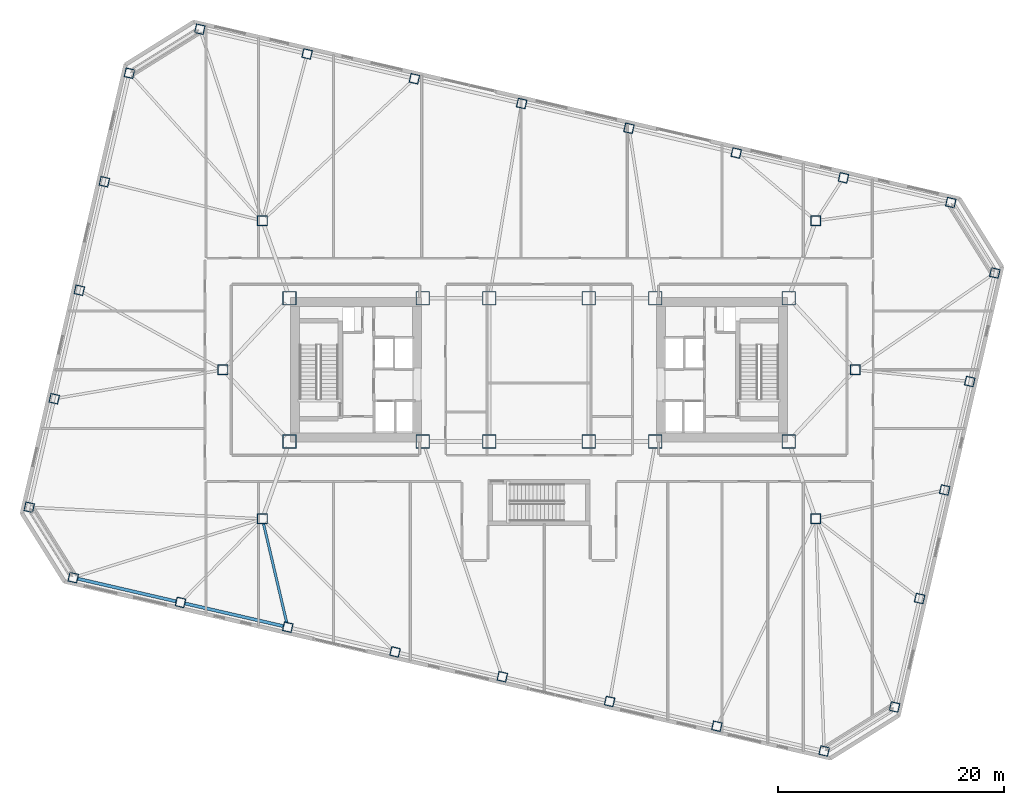
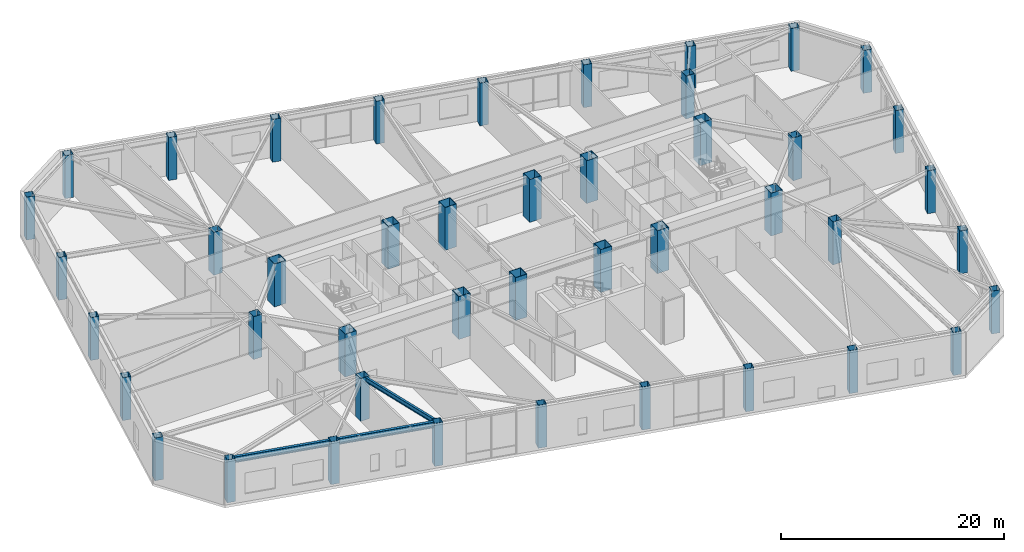
# One storey, part 1 of 20: 44 columns, 3 beams.
"""IFC4 building model written with IfcOpenShell, lengths in metres."""

from ifc_helpers import new_model, si_unit, direction, frame, origin, origin_2d, place, context, subcontext, project, spatial, hollow_rectangle, i_section, extrude, material, material_profile, profile_set, type_object, element, save


model = new_model("IFC4")

# Units and contexts
model_context = context("Model", 3, precision=1e-05, world=origin(), true_north=direction((0.0, 1.0)))
body_context = subcontext(model_context, "Body", "Model", "MODEL_VIEW")
ifc_project = project(units=[si_unit("LENGTHUNIT", "METRE"), si_unit("AREAUNIT", "SQUARE_METRE"), si_unit("VOLUMEUNIT", "CUBIC_METRE"), si_unit("PLANEANGLEUNIT", "RADIAN"), si_unit("MASSUNIT", "GRAM", prefix="KILO")], contexts=[model_context])

# Site, building, storey
site_placement = place(None, origin())
site = spatial("IfcSite", under=ifc_project, at=site_placement, CompositionType="ELEMENT")
building_placement = place(site_placement, origin())
building = spatial("IfcBuilding", under=site, at=building_placement, Name="Tavrogorsk Clinical Tower", CompositionType="ELEMENT")
storey_placement = place(building_placement, frame((0.0, 0.0, 13.39990234375)))
storey = spatial("IfcBuildingStorey", under=building, at=storey_placement, Name="L02", CompositionType="ELEMENT", Elevation=13.39990234375)

# Columns
ifc_material_1 = material(Name="Structural steel S440", Category="steel")
ifc_material_profile_1 = material_profile(ifc_material_1, hollow_rectangle(XDim=1.199951171875, YDim=1.199951171875, WallThickness=0.050048828125, at=origin_2d()), Name="BOX-1200x1200x50")
ifc_profile_set_1 = profile_set([ifc_material_profile_1], Name="Structural steel S440")
column_type_1 = type_object("IfcColumnType", Name="MegaCol_BOX1200", PredefinedType="COLUMN", material=ifc_profile_set_1)
for number, where, z_axis, x_axis, name in (
    (1, (-22.10009765625, -6.35009765625, 0.0), (0.0, 0.0, 1.0), (1.0, 0.0, 0.0), "L02 Mega Column MC-W1"),
    (2, (-22.10009765625, 6.35009765625, 0.0), (0.0, 0.0, 1.0), (1.0, 0.0, 0.0), "L02 Mega Column MC-W2"),
    (3, (-10.300048828125, -6.35009765625, 0.0), (0.0, 0.0, 1.0), (1.0, 0.0, 0.0), "L02 Mega Column MC-W3"),
    (4, (-10.300048828125, 6.35009765625, 0.0), (0.0, 0.0, 1.0), (1.0, 0.0, 0.0), "L02 Mega Column MC-W4"),
    (5, (10.300048828125, -6.35009765625, 0.0), (0.0, 0.0, 1.0), (1.0, 0.0, 0.0), "L02 Mega Column MC-E1"),
    (6, (10.300048828125, 6.35009765625, 0.0), (0.0, 0.0, 1.0), (1.0, 0.0, 0.0), "L02 Mega Column MC-E2"),
    (7, (22.10009765625, -6.35009765625, 0.0), (0.0, 0.0, 1.0), (1.0, 0.0, 0.0), "L02 Mega Column MC-E3"),
    (8, (22.10009765625, 6.35009765625, 0.0), (0.0, 0.0, 1.0), (1.0, 0.0, 0.0), "L02 Mega Column MC-E4"),
    (9, (-4.39990234375, -6.35009765625, 0.0), (0.0, 0.0, 1.0), (1.0, 0.0, 0.0), "L02 Mega Column MC-C1"),
    (10, (4.39990234375, -6.35009765625, 0.0), (0.0, 0.0, 1.0), (1.0, 0.0, 0.0), "L02 Mega Column MC-C2"),
    (11, (-4.39990234375, 6.35009765625, 0.0), (0.0, 0.0, 1.0), (1.0, 0.0, 0.0), "L02 Mega Column MC-C3"),
    (12, (4.39990234375, 6.35009765625, 0.0), (0.0, 0.0, 1.0), (1.0, 0.0, 0.0), "L02 Mega Column MC-C4"),
):
    element("IfcColumn", number, at=place(storey_placement, frame(where, z_axis=z_axis, x_axis=x_axis)), inside=storey, type_object=column_type_1, Name=name, PredefinedType="COLUMN", context=body_context, shape_type="SweptSolid", body=[
        extrude(hollow_rectangle(XDim=1.199951171875, YDim=1.199951171875, WallThickness=0.050048828125, at=origin_2d()), origin(), (0.0, 0.0, 1.0), 4.7001953125),
    ])
ifc_material_2 = material(Name="Structural steel S440", Category="steel")
ifc_material_profile_2 = material_profile(ifc_material_2, hollow_rectangle(XDim=0.89990234375, YDim=0.89990234375, WallThickness=0.0400390625, at=origin_2d()), Name="BOX-900x900x40")
ifc_profile_set_2 = profile_set([ifc_material_profile_2], Name="Structural steel S440")
column_type_2 = type_object("IfcColumnType", Name="MegaCol_BOX900", PredefinedType="COLUMN", material=ifc_profile_set_2)
for number, where, z_axis, x_axis, name in (
    (13, (-24.5, -13.199951171875, 0.0), (0.0, 0.0, 1.0), (1.0, 0.0, 0.0), "L02 Spine Pilotis Column MC-P1"),
    (14, (24.5, -13.199951171875, 0.0), (0.0, 0.0, 1.0), (1.0, 0.0, 0.0), "L02 Spine Pilotis Column MC-P2"),
    (15, (-24.5, 13.199951171875, 0.0), (0.0, 0.0, 1.0), (1.0, 0.0, 0.0), "L02 Spine Pilotis Column MC-P3"),
    (16, (24.5, 13.199951171875, 0.0), (0.0, 0.0, 1.0), (1.0, 0.0, 0.0), "L02 Spine Pilotis Column MC-P4"),
    (17, (-28.0, 0.0, 0.0), (0.0, 0.0, 1.0), (1.0, 0.0, 0.0), "L02 Spine Pilotis Column MC-P5"),
    (18, (28.0, 0.0, 0.0), (0.0, 0.0, 1.0), (1.0, 0.0, 0.0), "L02 Spine Pilotis Column MC-P6"),
):
    element("IfcColumn", number, at=place(storey_placement, frame(where, z_axis=z_axis, x_axis=x_axis)), inside=storey, type_object=column_type_2, Name=name, PredefinedType="COLUMN", context=body_context, shape_type="SweptSolid", body=[
        extrude(hollow_rectangle(XDim=0.89990234375, YDim=0.89990234375, WallThickness=0.0400390625, at=origin_2d()), origin(), (0.0, 0.0, 1.0), 4.7001953125),
    ])
ifc_material_3 = material(Name="Structural steel S440", Category="steel")
ifc_material_profile_3 = material_profile(ifc_material_3, hollow_rectangle(XDim=0.800048828125, YDim=0.800048828125, WallThickness=0.035888671875, at=origin_2d()), Name="BOX-800x800x36")
ifc_profile_set_3 = profile_set([ifc_material_profile_3], Name="Structural steel S440")
column_type_3 = type_object("IfcColumnType", Name="PerimCol_B1_BOX800", PredefinedType="COLUMN", material=ifc_profile_set_3)
for number, where, z_axis, x_axis, name in (
    (19, (-41.251220703125, -18.406005859375, 0.0), (0.0, 0.0, 1.0), (0.974370064785, -0.224951054344, 0.0), "L02 Perimeter Column S1"),
    (20, (-31.75244140625, -20.598876953125, 0.0), (0.0, 0.0, 1.0), (0.974370064785, -0.224951054344, 0.0), "L02 Perimeter Column S2"),
    (21, (-22.25390625, -22.7919921875, 0.0), (0.0, 0.0, 1.0), (0.974370064785, -0.224951054344, 0.0), "L02 Perimeter Column S3"),
    (22, (-12.755126953125, -24.98486328125, 0.0), (0.0, 0.0, 1.0), (0.974370064785, -0.224951054344, 0.0), "L02 Perimeter Column S4"),
    (23, (-3.25634765625, -27.177734375, 0.0), (0.0, 0.0, 1.0), (0.974370064785, -0.224951054344, 0.0), "L02 Perimeter Column S5"),
    (24, (6.2421875, -29.37060546875, 0.0), (0.0, 0.0, 1.0), (0.974370064785, -0.224951054344, 0.0), "L02 Perimeter Column S6"),
    (25, (15.740966796875, -31.563720703125, 0.0), (0.0, 0.0, 1.0), (0.974370064785, -0.224951054344, 0.0), "L02 Perimeter Column S7"),
    (26, (25.23974609375, -33.756591796875, 0.0), (0.0, 0.0, 1.0), (0.974370064785, -0.224951054344, 0.0), "L02 Perimeter Column S8"),
    (27, (36.451416015625, 14.805908203125, 0.0), (0.0, 0.0, 1.0), (0.974370064785, -0.224951054344, 0.0), "L02 Perimeter Column N1"),
    (28, (26.952392578125, 16.998779296875, 0.0), (0.0, 0.0, 1.0), (0.974370064785, -0.224951054344, 0.0), "L02 Perimeter Column N2"),
    (29, (17.453857421875, 19.19189453125, 0.0), (0.0, 0.0, 1.0), (0.974370064785, -0.224951054344, 0.0), "L02 Perimeter Column N3"),
    (30, (7.955078125, 21.384765625, 0.0), (0.0, 0.0, 1.0), (0.974370064785, -0.224951054344, 0.0), "L02 Perimeter Column N4"),
    (31, (-1.543701171875, 23.577880859375, 0.0), (0.0, 0.0, 1.0), (0.974370064785, -0.224951054344, 0.0), "L02 Perimeter Column N5"),
    (32, (-11.042236328125, 25.770751953125, 0.0), (0.0, 0.0, 1.0), (0.974370064785, -0.224951054344, 0.0), "L02 Perimeter Column N6"),
    (33, (-20.541015625, 27.963623046875, 0.0), (0.0, 0.0, 1.0), (0.974370064785, -0.224951054344, 0.0), "L02 Perimeter Column N7"),
    (34, (-30.039794921875, 30.156494140625, 0.0), (0.0, 0.0, 1.0), (0.974370064785, -0.224951054344, 0.0), "L02 Perimeter Column N8"),
    (35, (31.476318359375, -29.859619140625, 0.0), (0.0, 0.0, 1.0), (0.974370064785, -0.224951054344, 0.0), "L02 Perimeter Column E1"),
    (36, (33.694091796875, -20.25244140625, 0.0), (0.0, 0.0, 1.0), (0.974370064785, -0.224951054344, 0.0), "L02 Perimeter Column E2"),
    (37, (35.912109375, -10.64501953125, 0.0), (0.0, 0.0, 1.0), (0.974370064785, -0.224951054344, 0.0), "L02 Perimeter Column E3"),
    (38, (38.130126953125, -1.037841796875, 0.0), (0.0, 0.0, 1.0), (0.974370064785, -0.224951054344, 0.0), "L02 Perimeter Column E4"),
    (39, (40.348388671875, 8.569580078125, 0.0), (0.0, 0.0, 1.0), (0.974370064785, -0.224951054344, 0.0), "L02 Perimeter Column E5"),
    (40, (-36.276123046875, 26.259765625, 0.0), (0.0, 0.0, 1.0), (0.974370064785, -0.224951054344, 0.0), "L02 Perimeter Column W1"),
    (41, (-38.494140625, 16.65234375, 0.0), (0.0, 0.0, 1.0), (0.974370064785, -0.224951054344, 0.0), "L02 Perimeter Column W2"),
    (42, (-40.712158203125, 7.045166015625, 0.0), (0.0, 0.0, 1.0), (0.974370064785, -0.224951054344, 0.0), "L02 Perimeter Column W3"),
    (43, (-42.93017578125, -2.562255859375, 0.0), (0.0, 0.0, 1.0), (0.974370064785, -0.224951054344, 0.0), "L02 Perimeter Column W4"),
    (44, (-45.148193359375, -12.16943359375, 0.0), (0.0, 0.0, 1.0), (0.974370064785, -0.224951054344, 0.0), "L02 Perimeter Column W5"),
):
    element("IfcColumn", number, at=place(storey_placement, frame(where, z_axis=z_axis, x_axis=x_axis)), inside=storey, type_object=column_type_3, Name=name, PredefinedType="COLUMN", context=body_context, shape_type="SweptSolid", body=[
        extrude(hollow_rectangle(XDim=0.800048828125, YDim=0.800048828125, WallThickness=0.035888671875, at=origin_2d()), origin(), (0.0, 0.0, 1.0), 4.7001953125),
    ])

# Beams
ifc_material_4 = material(Name="Structural steel S355", Category="steel")
ifc_material_profile_4 = material_profile(ifc_material_4, i_section(OverallWidth=0.219970703125, OverallDepth=0.5, WebThickness=0.012939453125, FlangeThickness=0.02001953125, at=origin_2d()), Name="B-500x220x13x20")
ifc_profile_set_4 = profile_set([ifc_material_profile_4], Name="Structural steel S355")
beam_type_1 = type_object("IfcBeamType", Name="FloorBeam_B500", PredefinedType="BEAM", material=ifc_profile_set_4)
beam_placement = place(storey_placement, frame((-24.406494140625, -13.59912109375, 4.4501953125), z_axis=(0.227996771429, -0.973661888038, 0.0), x_axis=(0.973661888038, 0.227996771429, 0.0)))
element("IfcBeam", 45, at=beam_placement, inside=storey, type_object=beam_type_1, Name="L02 Radial Floor Beam S3", PredefinedType="BEAM", context=body_context, shape_type="SweptSolid", body=[
    extrude(i_section(OverallWidth=0.219970703125, OverallDepth=0.5, WebThickness=0.012939453125, FlangeThickness=0.02001953125, at=origin_2d()), origin(), (0.0, 0.0, 1.0), 9.033447265625),
])
ifc_material_5 = material(Name="Structural steel S390", Category="steel")
ifc_material_profile_5 = material_profile(ifc_material_5, i_section(OverallWidth=0.280029296875, OverallDepth=0.64990234375, WebThickness=0.01611328125, FlangeThickness=0.02490234375, at=origin_2d()), Name="B-650x280x16x25")
ifc_profile_set_5 = profile_set([ifc_material_profile_5], Name="Structural steel S390")
beam_type_2 = type_object("IfcBeamType", Name="SpandrelBeam_B650", PredefinedType="SPANDREL", material=ifc_profile_set_5)
for number, where, z_axis, x_axis, name in (
    (46, (-40.853759765625, -18.497802734375, 4.375), (0.974372766602, -0.224939351168, 0.0), (0.224939351168, 0.974372766602, 0.0), "L02 Perimeter Spandrel S1-S2"),
    (47, (-31.35498046875, -20.690673828125, 4.375), (0.974366775889, -0.224965299645, 0.0), (0.224965299645, 0.974366775889, 0.0), "L02 Perimeter Spandrel S2-S3"),
):
    element("IfcBeam", number, at=place(storey_placement, frame(where, z_axis=z_axis, x_axis=x_axis)), inside=storey, type_object=beam_type_2, Name=name, PredefinedType="SPANDREL", context=body_context, shape_type="SweptSolid", body=[
        extrude(i_section(OverallWidth=0.280029296875, OverallDepth=0.64990234375, WebThickness=0.01611328125, FlangeThickness=0.02490234375, at=origin_2d()), origin(), (0.0, 0.0, 1.0), 8.9326171875),
    ])

save(model, "model.ifc")
